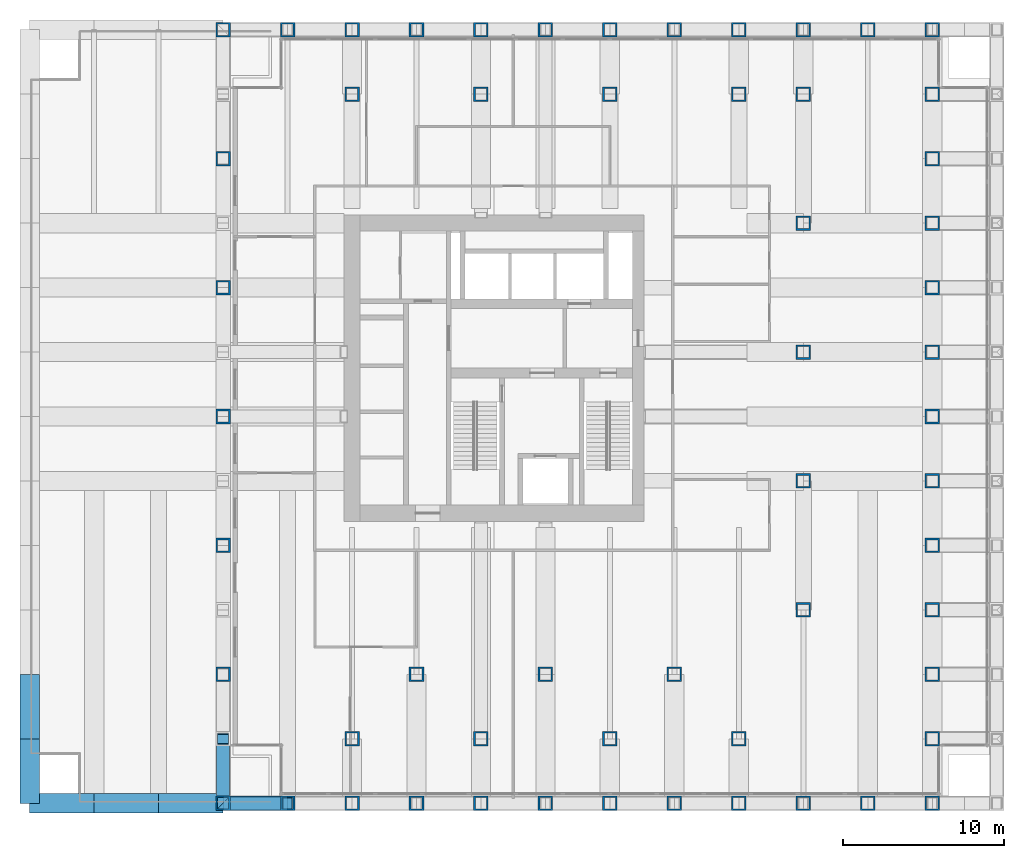
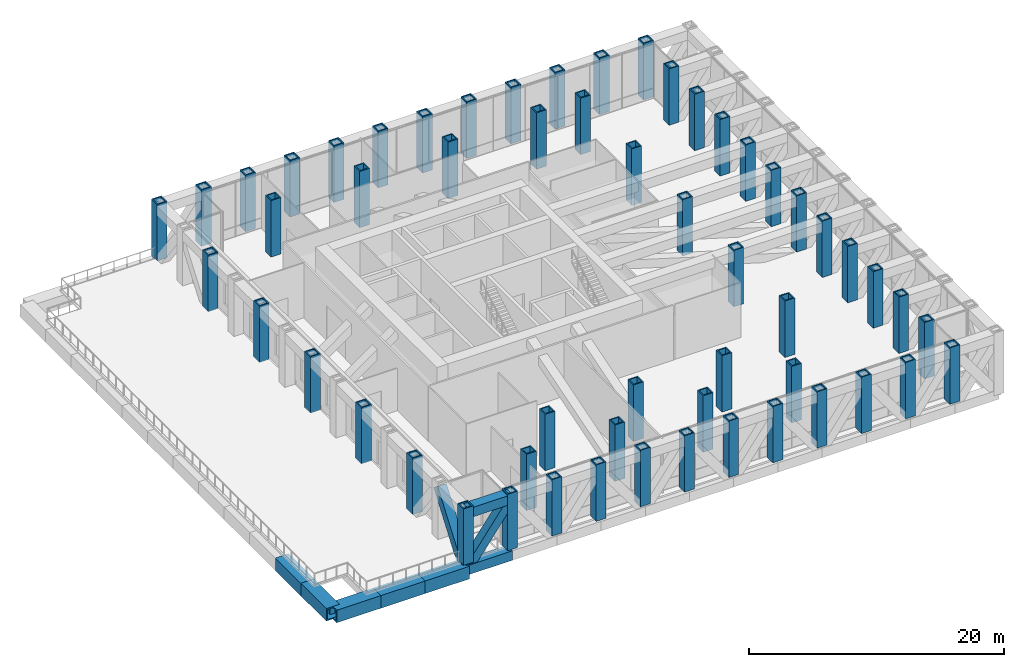
# One storey, part 1 of 14: 56 columns, 7 beams, 2 members.
"""IFC4 building model written with IfcOpenShell, lengths in metres."""

from ifc_helpers import new_model, si_unit, direction, frame, origin, origin_2d, place, context, subcontext, project, spatial, hollow_rectangle, extrude, material, material_profile, profile_set, type_object, element, save


model = new_model("IFC4")

# Units and contexts
model_context = context("Model", 3, precision=1e-05, world=origin(), true_north=direction((0.0, 1.0)))
body_context = subcontext(model_context, "Body", "Model", "MODEL_VIEW")
ifc_project = project(units=[si_unit("LENGTHUNIT", "METRE"), si_unit("AREAUNIT", "SQUARE_METRE"), si_unit("VOLUMEUNIT", "CUBIC_METRE"), si_unit("PLANEANGLEUNIT", "RADIAN"), si_unit("MASSUNIT", "GRAM", prefix="KILO")], contexts=[model_context])

# Site, building, storey
site_placement = place(None, origin())
site = spatial("IfcSite", under=ifc_project, at=site_placement, CompositionType="ELEMENT")
building_placement = place(site_placement, origin())
building = spatial("IfcBuilding", under=site, at=building_placement, Name="Rimbunsela Tower", CompositionType="ELEMENT")
storey_placement = place(building_placement, frame((0.0, 0.0, 71.0)))
storey = spatial("IfcBuildingStorey", under=building, at=storey_placement, Name="L17", CompositionType="ELEMENT", Elevation=71.0)

# Columns
ifc_material_1 = material(Name="Steel BJ 55 (fy 410 MPa)", Category="steel")
ifc_material_profile_1 = material_profile(ifc_material_1, hollow_rectangle(XDim=0.89990234375, YDim=0.89990234375, WallThickness=0.10009765625, at=origin_2d()), Name="BOX 900x900x100")
ifc_profile_set_1 = profile_set([ifc_material_profile_1], Name="Steel BJ 55 (fy 410 MPa)")
column_type_1 = type_object("IfcColumnType", Name="Column BOX 900x900x100", PredefinedType="COLUMN", material=ifc_profile_set_1)
for number, where, z_axis, x_axis, name in (
    (1, (18.0, 4.0, 0.0), (0.0, 0.0, 1.0), (1.0, 0.0, 0.0), "Column C5 7/C L17"),
    (2, (18.0, 44.0, 0.0), (0.0, 0.0, 1.0), (1.0, 0.0, 0.0), "Column C5 7/N L17"),
    (3, (22.0, 8.0, 0.0), (0.0, 0.0, 1.0), (1.0, 0.0, 0.0), "Column C5 8/D L17"),
    (4, (26.0, 4.0, 0.0), (0.0, 0.0, 1.0), (1.0, 0.0, 0.0), "Column C5 9/C L17"),
    (5, (26.0, 44.0, 0.0), (0.0, 0.0, 1.0), (1.0, 0.0, 0.0), "Column C5 9/N L17"),
    (6, (30.0, 8.0, 0.0), (0.0, 0.0, 1.0), (1.0, 0.0, 0.0), "Column C5 10/D L17"),
    (7, (34.0, 4.0, 0.0), (0.0, 0.0, 1.0), (1.0, 0.0, 0.0), "Column C5 11/C L17"),
    (8, (34.0, 44.0, 0.0), (0.0, 0.0, 1.0), (1.0, 0.0, 0.0), "Column C5 11/N L17"),
    (9, (38.0, 8.0, 0.0), (0.0, 0.0, 1.0), (1.0, 0.0, 0.0), "Column C5 12/D L17"),
    (10, (42.0, 4.0, 0.0), (0.0, 0.0, 1.0), (1.0, 0.0, 0.0), "Column C5 13/C L17"),
    (11, (42.0, 44.0, 0.0), (0.0, 0.0, 1.0), (1.0, 0.0, 0.0), "Column C5 13/N L17"),
    (12, (46.0, 12.0, 0.0), (0.0, 0.0, 1.0), (1.0, 0.0, 0.0), "Column C5 14/E L17"),
    (13, (46.0, 20.0, 0.0), (0.0, 0.0, 1.0), (1.0, 0.0, 0.0), "Column C5 14/G L17"),
    (14, (46.0, 28.0, 0.0), (0.0, 0.0, 1.0), (1.0, 0.0, 0.0), "Column C5 14/J L17"),
    (15, (46.0, 36.0, 0.0), (0.0, 0.0, 1.0), (1.0, 0.0, 0.0), "Column C5 14/L L17"),
    (16, (46.0, 44.0, 0.0), (0.0, 0.0, 1.0), (1.0, 0.0, 0.0), "Column C5 14/N L17"),
):
    element("IfcColumn", number, at=place(storey_placement, frame(where, z_axis=z_axis, x_axis=x_axis)), inside=storey, type_object=column_type_1, Name=name, PredefinedType="COLUMN", context=body_context, shape_type="SweptSolid", body=[
        extrude(hollow_rectangle(XDim=0.89990234375, YDim=0.89990234375, WallThickness=0.10009765625, at=origin_2d()), origin(), (0.0, 0.0, 1.0), 5.39990234375),
    ])
ifc_material_2 = material(Name="Steel BJ 55 (fy 410 MPa)", Category="steel")
ifc_material_profile_2 = material_profile(ifc_material_2, hollow_rectangle(XDim=0.89990234375, YDim=0.89990234375, WallThickness=0.10009765625, at=origin_2d()), Name="BOX 900x900x100")
ifc_profile_set_2 = profile_set([ifc_material_profile_2], Name="Steel BJ 55 (fy 410 MPa)")
column_type_2 = type_object("IfcColumnType", Name="Truss column BOX 900x900x100", PredefinedType="USERDEFINED", material=ifc_profile_set_2)
for number, where, z_axis, x_axis, name in (
    (17, (10.0, 0.0, 0.0), (0.0, 0.0, 1.0), (1.0, 0.0, 0.0), "Truss column TV2 5/B L17"),
    (18, (10.0, 8.0, 0.0), (0.0, 0.0, 1.0), (1.0, 0.0, 0.0), "Truss column TV2 5/D L17"),
    (19, (10.0, 16.0, 0.0), (0.0, 0.0, 1.0), (1.0, 0.0, 0.0), "Truss column TV2 5/F L17"),
    (20, (10.0, 24.0, 0.0), (0.0, 0.0, 1.0), (1.0, 0.0, 0.0), "Truss column TV2 5/H L17"),
    (21, (10.0, 32.0, 0.0), (0.0, 0.0, 1.0), (1.0, 0.0, 0.0), "Truss column TV2 5/K L17"),
    (22, (10.0, 40.0, 0.0), (0.0, 0.0, 1.0), (1.0, 0.0, 0.0), "Truss column TV2 5/M L17"),
    (23, (10.0, 48.0, 0.0), (0.0, 0.0, 1.0), (1.0, 0.0, 0.0), "Truss column TV2 5/P L17"),
    (24, (14.0, 0.0, 0.0), (0.0, 0.0, 1.0), (1.0, 0.0, 0.0), "Truss column TV2 6/B L17"),
    (25, (14.0, 48.0, 0.0), (0.0, 0.0, 1.0), (1.0, 0.0, 0.0), "Truss column TV2 6/P L17"),
    (26, (18.0, 0.0, 0.0), (0.0, 0.0, 1.0), (1.0, 0.0, 0.0), "Truss column TV2 7/B L17"),
    (27, (18.0, 48.0, 0.0), (0.0, 0.0, 1.0), (1.0, 0.0, 0.0), "Truss column TV2 7/P L17"),
    (28, (22.0, 0.0, 0.0), (0.0, 0.0, 1.0), (1.0, 0.0, 0.0), "Truss column TV2 8/B L17"),
    (29, (22.0, 48.0, 0.0), (0.0, 0.0, 1.0), (1.0, 0.0, 0.0), "Truss column TV2 8/P L17"),
    (30, (26.0, 0.0, 0.0), (0.0, 0.0, 1.0), (1.0, 0.0, 0.0), "Truss column TV2 9/B L17"),
    (31, (26.0, 48.0, 0.0), (0.0, 0.0, 1.0), (1.0, 0.0, 0.0), "Truss column TV2 9/P L17"),
    (32, (30.0, 0.0, 0.0), (0.0, 0.0, 1.0), (1.0, 0.0, 0.0), "Truss column TV2 10/B L17"),
    (33, (30.0, 48.0, 0.0), (0.0, 0.0, 1.0), (1.0, 0.0, 0.0), "Truss column TV2 10/P L17"),
    (34, (34.0, 0.0, 0.0), (0.0, 0.0, 1.0), (1.0, 0.0, 0.0), "Truss column TV2 11/B L17"),
    (35, (34.0, 48.0, 0.0), (0.0, 0.0, 1.0), (1.0, 0.0, 0.0), "Truss column TV2 11/P L17"),
    (36, (38.0, 0.0, 0.0), (0.0, 0.0, 1.0), (1.0, 0.0, 0.0), "Truss column TV2 12/B L17"),
    (37, (38.0, 48.0, 0.0), (0.0, 0.0, 1.0), (1.0, 0.0, 0.0), "Truss column TV2 12/P L17"),
    (38, (42.0, 0.0, 0.0), (0.0, 0.0, 1.0), (1.0, 0.0, 0.0), "Truss column TV2 13/B L17"),
    (39, (42.0, 48.0, 0.0), (0.0, 0.0, 1.0), (1.0, 0.0, 0.0), "Truss column TV2 13/P L17"),
    (40, (46.0, 0.0, 0.0), (0.0, 0.0, 1.0), (1.0, 0.0, 0.0), "Truss column TV2 14/B L17"),
    (41, (46.0, 48.0, 0.0), (0.0, 0.0, 1.0), (1.0, 0.0, 0.0), "Truss column TV2 14/P L17"),
    (42, (50.0, 0.0, 0.0), (0.0, 0.0, 1.0), (1.0, 0.0, 0.0), "Truss column TV2 15/B L17"),
    (43, (50.0, 48.0, 0.0), (0.0, 0.0, 1.0), (1.0, 0.0, 0.0), "Truss column TV2 15/P L17"),
    (44, (54.0, 0.0, 0.0), (0.0, 0.0, 1.0), (1.0, 0.0, 0.0), "Truss column TV2 16/B L17"),
    (45, (54.0, 48.0, 0.0), (0.0, 0.0, 1.0), (1.0, 0.0, 0.0), "Truss column TV2 16/P L17"),
    (46, (54.0, 4.0, 0.0), (0.0, 0.0, 1.0), (1.0, 0.0, 0.0), "Truss column TV2 16/C L17"),
    (47, (54.0, 8.0, 0.0), (0.0, 0.0, 1.0), (1.0, 0.0, 0.0), "Truss column TV2 16/D L17"),
    (48, (54.0, 12.0, 0.0), (0.0, 0.0, 1.0), (1.0, 0.0, 0.0), "Truss column TV2 16/E L17"),
    (49, (54.0, 16.0, 0.0), (0.0, 0.0, 1.0), (1.0, 0.0, 0.0), "Truss column TV2 16/F L17"),
    (50, (54.0, 20.0, 0.0), (0.0, 0.0, 1.0), (1.0, 0.0, 0.0), "Truss column TV2 16/G L17"),
    (51, (54.0, 24.0, 0.0), (0.0, 0.0, 1.0), (1.0, 0.0, 0.0), "Truss column TV2 16/H L17"),
    (52, (54.0, 28.0, 0.0), (0.0, 0.0, 1.0), (1.0, 0.0, 0.0), "Truss column TV2 16/J L17"),
    (53, (54.0, 32.0, 0.0), (0.0, 0.0, 1.0), (1.0, 0.0, 0.0), "Truss column TV2 16/K L17"),
    (54, (54.0, 36.0, 0.0), (0.0, 0.0, 1.0), (1.0, 0.0, 0.0), "Truss column TV2 16/L L17"),
    (55, (54.0, 40.0, 0.0), (0.0, 0.0, 1.0), (1.0, 0.0, 0.0), "Truss column TV2 16/M L17"),
    (56, (54.0, 44.0, 0.0), (0.0, 0.0, 1.0), (1.0, 0.0, 0.0), "Truss column TV2 16/N L17"),
):
    element("IfcColumn", number, at=place(storey_placement, frame(where, z_axis=z_axis, x_axis=x_axis)), inside=storey, type_object=column_type_2, Name=name, ObjectType="TRUSS POST", PredefinedType="USERDEFINED", context=body_context, shape_type="SweptSolid", body=[
        extrude(hollow_rectangle(XDim=0.89990234375, YDim=0.89990234375, WallThickness=0.10009765625, at=origin_2d()), origin(), (0.0, 0.0, 1.0), 5.39990234375),
    ])

# Beams
ifc_material_3 = material(Name="Steel BJ 55 (fy 410 MPa)", Category="steel")
ifc_material_profile_3 = material_profile(ifc_material_3, hollow_rectangle(XDim=1.199951171875, YDim=1.199951171875, WallThickness=0.125, at=origin_2d()), Name="BOX 1200x1200x125")
ifc_profile_set_3 = profile_set([ifc_material_profile_3], Name="Steel BJ 55 (fy 410 MPa)")
beam_type_1 = type_object("IfcBeamType", Name="Beam BOX 1200x1200x125", PredefinedType="BEAM", material=ifc_profile_set_3)
for number, where, z_axis, x_axis, name in (
    (57, (-2.0, 0.0, -0.75), (0.0, 1.0, 0.0), (-1.0, 0.0, 0.0), "Beam B4 L17"),
    (58, (-2.0, 0.0, -0.75), (1.0, 0.0, 0.0), (0.0, 1.0, 0.0), "Beam B4 L17"),
    (59, (-2.0, 4.0, -0.75), (0.0, 1.0, 0.0), (-1.0, 0.0, 0.0), "Beam B4 L17"),
    (60, (2.0, 0.0, -0.75), (1.0, 0.0, 0.0), (0.0, 1.0, 0.0), "Beam B4 L17"),
    (61, (6.0, 0.0, -0.75), (1.0, 0.0, 0.0), (0.0, 1.0, 0.0), "Beam B4 L17"),
):
    element("IfcBeam", number, at=place(storey_placement, frame(where, z_axis=z_axis, x_axis=x_axis)), inside=storey, type_object=beam_type_1, Name=name, PredefinedType="BEAM", context=body_context, shape_type="SweptSolid", body=[
        extrude(hollow_rectangle(XDim=1.199951171875, YDim=1.199951171875, WallThickness=0.125, at=origin_2d()), origin(), (0.0, 0.0, 1.0), 4.0),
    ])
ifc_material_4 = material(Name="Steel BJ 55 (fy 410 MPa)", Category="steel")
ifc_material_profile_4 = material_profile(ifc_material_4, hollow_rectangle(XDim=0.89990234375, YDim=0.89990234375, WallThickness=0.10009765625, at=origin_2d()), Name="BOX 900x900x100")
ifc_profile_set_4 = profile_set([ifc_material_profile_4], Name="Steel BJ 55 (fy 410 MPa)")
beam_type_2 = type_object("IfcBeamType", Name="Truss chord BOX 900x900x100", PredefinedType="USERDEFINED", material=ifc_profile_set_4)
for number, where, z_axis, x_axis, name in (
    (62, (10.0, 0.0, 4.800048828125), (1.0, 0.0, 0.0), (0.0, 1.0, 0.0), "Truss top chord TC2 S face L17"),
    (63, (10.0, 0.0, -0.60009765625), (1.0, 0.0, 0.0), (0.0, 1.0, 0.0), "Truss bottom chord TC2 S face L17"),
):
    element("IfcBeam", number, at=place(storey_placement, frame(where, z_axis=z_axis, x_axis=x_axis)), inside=storey, type_object=beam_type_2, Name=name, ObjectType="TRUSS CHORD", PredefinedType="USERDEFINED", context=body_context, shape_type="SweptSolid", body=[
        extrude(hollow_rectangle(XDim=0.89990234375, YDim=0.89990234375, WallThickness=0.10009765625, at=origin_2d()), origin(), (0.0, 0.0, 1.0), 4.0),
    ])

# Members
ifc_material_5 = material(Name="Steel BJ 55 (fy 410 MPa)", Category="steel")
ifc_material_profile_5 = material_profile(ifc_material_5, hollow_rectangle(XDim=0.800048828125, YDim=0.800048828125, WallThickness=0.06005859375, at=origin_2d()), Name="BOX 800x800x60")
ifc_profile_set_5 = profile_set([ifc_material_profile_5], Name="Steel BJ 55 (fy 410 MPa)")
member_type = type_object("IfcMemberType", Name="Truss diagonal BOX 800x800x60", PredefinedType="BRACE", material=ifc_profile_set_5)
for number, where, z_axis, x_axis, name in (
    (64, (10.0, 0.0, -0.60009765625), (0.595217124844, 0.0, 0.803564916041), (0.0, 1.0, 0.0), "Truss diagonal TD2 S face L17"),
    (65, (10.0, 0.0, -0.60009765625), (0.0, 0.595217124844, 0.803564916041), (-1.0, 0.0, 0.0), "Truss diagonal TD2 W face L17"),
):
    element("IfcMember", number, at=place(storey_placement, frame(where, z_axis=z_axis, x_axis=x_axis)), inside=storey, type_object=member_type, Name=name, PredefinedType="BRACE", context=body_context, shape_type="SweptSolid", body=[
        extrude(hollow_rectangle(XDim=0.800048828125, YDim=0.800048828125, WallThickness=0.06005859375, at=origin_2d()), origin(), (0.0, 0.0, 1.0), 6.72021484375),
    ])

save(model, "model.ifc")
